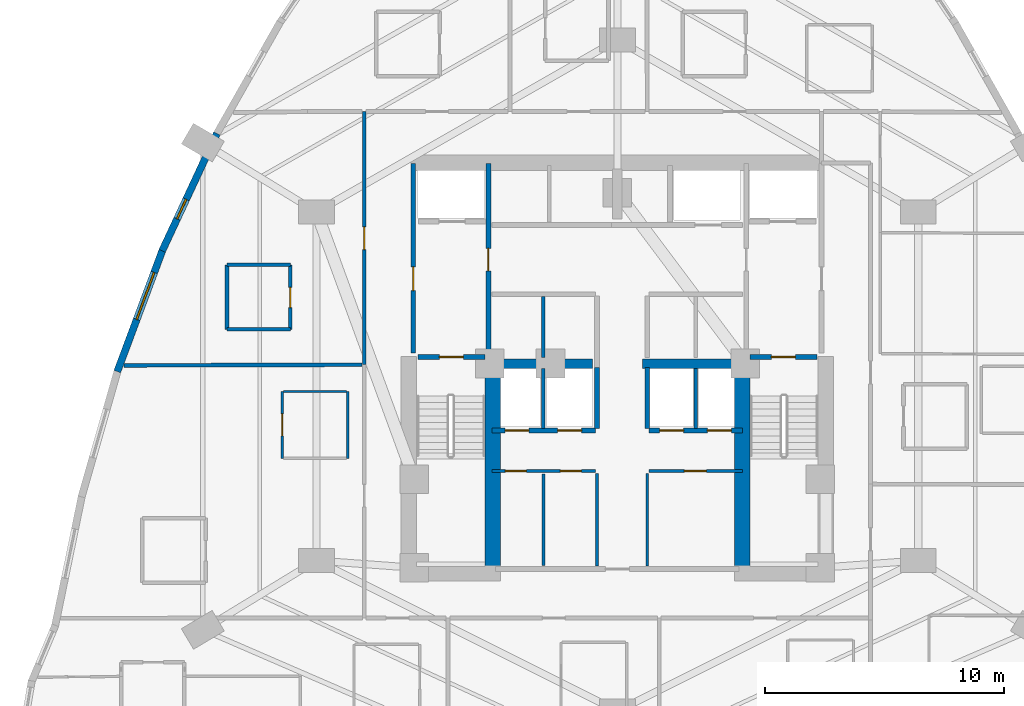
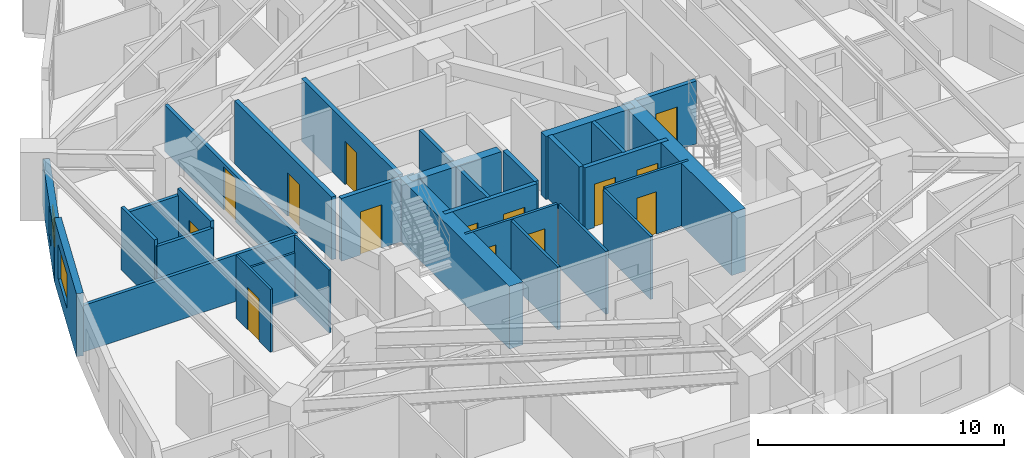
# One storey, part 10 of 16: 31 walls, 14 doors, 2 windows, 16 openings.
"""IFC4 building model written with IfcOpenShell, lengths in metres."""

from ifc_helpers import new_model, si_unit, direction, frame, frame_2d, origin, place, context, subcontext, project, spatial, rectangle, extrude, material, layer, layer_set, type_object, element, fill, save


model = new_model("IFC4")

# Units and contexts
model_context = context("Model", 3, precision=1e-05, world=origin(), true_north=direction((0.0, 1.0)))
body_context = subcontext(model_context, "Body", "Model", "MODEL_VIEW")
ifc_project = project(units=[si_unit("LENGTHUNIT", "METRE"), si_unit("AREAUNIT", "SQUARE_METRE"), si_unit("VOLUMEUNIT", "CUBIC_METRE"), si_unit("PLANEANGLEUNIT", "RADIAN"), si_unit("MASSUNIT", "GRAM", prefix="KILO")], contexts=[model_context])

# Site, building, storey
site_placement = place(None, origin())
site = spatial("IfcSite", under=ifc_project, at=site_placement, CompositionType="ELEMENT")
building_placement = place(site_placement, origin())
building = spatial("IfcBuilding", under=site, at=building_placement, Name="Miruveldt Soraemaru", CompositionType="ELEMENT")
storey_placement = place(building_placement, frame((0.0, 0.0, 42.800048828125)))
storey = spatial("IfcBuildingStorey", under=building, at=storey_placement, Name="L11", CompositionType="ELEMENT", Elevation=42.800048828125)

# Walls
ifc_material_1 = material(Name="Concrete C70/85 (70 MPa)", Category="concrete")
ifc_layer_1 = layer(ifc_material_1, 0.5, Name="Concrete C70/85 (70 MPa)", Category="concrete")
ifc_layer_set_1 = layer_set([ifc_layer_1], Name="Concrete C70/85 (70 MPa)")
wall_type_1 = type_object("IfcWallType", Name="WALL-BW-500", PredefinedType="SHEAR", material=ifc_layer_set_1)
for number, where, z_axis, x_axis, name in (
    (1, (38.75, 44.050048828125, 0.0), (0.0, 0.0, 1.0), (1.0, 0.0, 0.0), "L11 Core Buttress Shear Wall BW"),
    (2, (45.050048828125, 44.050048828125, 0.0), (0.0, 0.0, 1.0), (1.0, 0.0, 0.0), "L11 Core Buttress Shear Wall BE"),
):
    element("IfcWall", number, at=place(storey_placement, frame(where, z_axis=z_axis, x_axis=x_axis)), inside=storey, type_object=wall_type_1, Name=name, PredefinedType="SHEAR", context=body_context, shape_type="SweptSolid", body=[
        extrude(rectangle(XDim=4.199951171875, YDim=0.39990234375, at=frame_2d((2.10009765625, 0.0))), origin(), (0.0, 0.0, 1.0), 3.125),
    ])
ifc_material_2 = material(Name="Concrete C80/95 (80 MPa)", Category="concrete")
ifc_layer_2 = layer(ifc_material_2, 0.64990234375, Name="Concrete C80/95 (80 MPa)", Category="concrete")
ifc_layer_set_2 = layer_set([ifc_layer_2], Name="Concrete C80/95 (80 MPa)")
wall_type_2 = type_object("IfcWallType", Name="WALL-CW-650", PredefinedType="SHEAR", material=ifc_layer_set_2)
for number, where, z_axis, x_axis, name in (
    (3, (38.77490234375, 35.39990234375, 0.0), (0.0, 0.0, 1.0), (0.0, 1.0, 0.0), "L11 Central Core Shear Wall SW-INT"),
    (4, (49.22509765625, 35.39990234375, 0.0), (0.0, 0.0, 1.0), (0.0, 1.0, 0.0), "L11 Central Core Shear Wall SE-INT"),
):
    element("IfcWall", number, at=place(storey_placement, frame(where, z_axis=z_axis, x_axis=x_axis)), inside=storey, type_object=wall_type_2, Name=name, PredefinedType="SHEAR", context=body_context, shape_type="SweptSolid", body=[
        extrude(rectangle(XDim=8.9501953125, YDim=0.64990234375, at=frame_2d((4.47509765625, 0.0))), origin(), (0.0, 0.0, 1.0), 3.125),
    ])

# Wall, opening, window
ifc_material_3 = material(Name="Precast concrete C45/55 (45 MPa)", Category="concrete")
ifc_layer_3 = layer(ifc_material_3, 0.300048828125, Name="Precast concrete C45/55 (45 MPa)", Category="concrete")
ifc_layer_set_3 = layer_set([ifc_layer_3], Name="Precast concrete C45/55 (45 MPa)")
wall_type_3 = type_object("IfcWallType", Name="WALL-EXT-PC300", PredefinedType="SOLIDWALL", material=ifc_layer_set_3)
wall_1_placement = place(storey_placement, frame((27.231201171875, 53.685302734375, 0.0), z_axis=(0.0, 0.0, 1.0), x_axis=(-0.4222916538, -0.906460015186, 0.0)))
wall_1 = element("IfcWall", 5, at=wall_1_placement, inside=storey, type_object=wall_type_3, Name="L11 Precast Concrete Facade Wall 11", PredefinedType="SOLIDWALL", context=body_context, shape_type="SweptSolid", body=[
    extrude(rectangle(XDim=5.42529296875, YDim=0.300048828125, at=frame_2d((2.712646484375, 0.0))), origin(), (0.0, 0.0, 1.0), 2.31298828125),
])
opening_1_placement = place(wall_1_placement, frame((3.0458984375, 0.0, 0.653076171875)))
opening_1 = element("IfcOpeningElement", 6, at=opening_1_placement, cuts=wall_1, Name="Opening WN-7", PredefinedType="OPENING", context=body_context, shape_type="SweptSolid", body=[
    extrude(rectangle(XDim=0.89990234375, YDim=1.5, at=frame_2d((0.449951171875, 0.75))), frame((0.0, 0.16015625, 0.0), z_axis=(0.0, -1.0, 0.0), x_axis=(1.0, 0.0, 0.0)), (0.0, 0.0, 1.0), 0.320068359375),
])
ifc_material_4 = material(Name="Triple low-e insulated glazing", Category="glass")
window_type_1 = type_object("IfcWindowType", Name="WIN-PUNCH-900x1500", PartitioningType="SINGLE_PANEL", PredefinedType="WINDOW", material=ifc_material_4)
window_1_placement = place(opening_1_placement, origin())
window_1 = element("IfcWindow", 7, at=window_1_placement, inside=storey, type_object=window_type_1, Name="L11 Punched Triple-Glazed Window 11.1", OverallHeight=1.5, OverallWidth=0.89990234375, PartitioningType="SINGLE_PANEL", PredefinedType="WINDOW", context=body_context, shape_type="SweptSolid", body=[
    extrude(rectangle(XDim=0.89990234375, YDim=1.5, at=frame_2d((0.449951171875, 0.75))), frame((0.0, 0.030029296875, 0.0), z_axis=(0.0, -1.0, 0.0), x_axis=(1.0, 0.0, 0.0)), (0.0, 0.0, 1.0), 0.06005859375),
])
fill(opening_1, window_1)

wall_2_placement = place(storey_placement, frame((24.967041015625, 48.83203125, 0.0), z_axis=(0.0, 0.0, 1.0), x_axis=(-0.348985824433, -0.93712800318, 0.0)))
wall_2 = element("IfcWall", 8, at=wall_2_placement, inside=storey, type_object=wall_type_3, Name="L11 Precast Concrete Facade Wall 12", PredefinedType="SOLIDWALL", context=body_context, shape_type="SweptSolid", body=[
    extrude(rectangle(XDim=5.45947265625, YDim=0.300048828125, at=frame_2d((2.729736328125, 0.0))), origin(), (0.0, 0.0, 1.0), 3.125),
])
opening_2_placement = place(wall_2_placement, frame((1.032958984375, 0.0, 0.800048828125)))
opening_2 = element("IfcOpeningElement", 9, at=opening_2_placement, cuts=wall_2, Name="Opening WN-1", PredefinedType="OPENING", context=body_context, shape_type="SweptSolid", body=[
    extrude(rectangle(XDim=2.10009765625, YDim=1.699951171875, at=frame_2d((1.050048828125, 0.85009765625))), frame((0.0, 0.16015625, 0.0), z_axis=(0.0, -1.0, 0.0), x_axis=(1.0, 0.0, 0.0)), (0.0, 0.0, 1.0), 0.320068359375),
])
window_type_2 = type_object("IfcWindowType", Name="WIN-PUNCH-2100x1700", PartitioningType="SINGLE_PANEL", PredefinedType="WINDOW", material=ifc_material_4)
window_2_placement = place(opening_2_placement, origin())
window_2 = element("IfcWindow", 10, at=window_2_placement, inside=storey, type_object=window_type_2, Name="L11 Punched Triple-Glazed Window 12.1", OverallHeight=1.699951171875, OverallWidth=2.10009765625, PartitioningType="SINGLE_PANEL", PredefinedType="WINDOW", context=body_context, shape_type="SweptSolid", body=[
    extrude(rectangle(XDim=2.10009765625, YDim=1.699951171875, at=frame_2d((1.050048828125, 0.85009765625))), frame((0.0, 0.030029296875, 0.0), z_axis=(0.0, -1.0, 0.0), x_axis=(1.0, 0.0, 0.0)), (0.0, 0.0, 1.0), 0.06005859375),
])
fill(opening_2, window_2)

# Wall, opening, door
ifc_material_5 = material(Name="Gypsum plasterboard lining", Category="gypsum")
ifc_layer_4 = layer(ifc_material_5, 0.10009765625, Name="Gypsum plasterboard lining", Category="gypsum")
ifc_layer_set_4 = layer_set([ifc_layer_4], Name="Gypsum plasterboard lining")
wall_type_4 = type_object("IfcWallType", Name="WALL-INT-P100", PredefinedType="PARTITIONING", material=ifc_layer_set_4)
wall_3_placement = place(storey_placement, frame((29.962890625, 42.8798828125, 0.0), z_axis=(0.0, 0.0, 1.0), x_axis=(0.0, -1.0, 0.0)))
wall_3 = element("IfcWall", 11, at=wall_3_placement, inside=storey, type_object=wall_type_4, Name="L11 Partition Wall 58", PredefinedType="PARTITIONING", context=body_context, shape_type="SweptSolid", body=[
    extrude(rectangle(XDim=2.7998046875, YDim=0.10009765625, at=frame_2d((1.39990234375, 0.0))), origin(), (0.0, 0.0, 1.0), 3.125),
])
opening_3_placement = place(wall_3_placement, frame((0.93994140625, 0.0, 0.0)))
opening_3 = element("IfcOpeningElement", 12, at=opening_3_placement, cuts=wall_3, Name="Opening D3A", PredefinedType="OPENING", context=body_context, shape_type="SweptSolid", body=[
    extrude(rectangle(XDim=0.919921875, YDim=2.10009765625, at=frame_2d((0.4599609375, 1.050048828125))), frame((0.0, 0.06005859375, 0.0), z_axis=(0.0, -1.0, 0.0), x_axis=(1.0, 0.0, 0.0)), (0.0, 0.0, 1.0), 0.1201171875),
])
ifc_material_6 = material(Name="Anodised aluminium EN AW-6063 T6", Category="aluminium")
door_type_1 = type_object("IfcDoorType", Name="DOOR-INT-920", OperationType="NOTDEFINED", PredefinedType="DOOR", material=ifc_material_6)
door_1_placement = place(opening_3_placement, origin())
door_1 = element("IfcDoor", 13, at=door_1_placement, inside=storey, type_object=door_type_1, Name="L11 Unit CL04 KIT Door", OperationType="SINGLE_SWING_LEFT", OverallHeight=2.10009765625, OverallWidth=0.919921875, PredefinedType="DOOR", context=body_context, shape_type="SweptSolid", body=[
    extrude(rectangle(XDim=0.919921875, YDim=2.10009765625, at=frame_2d((0.4599609375, 1.050048828125))), frame((0.0, 0.02490234375, 0.0), z_axis=(0.0, -1.0, 0.0), x_axis=(1.0, 0.0, 0.0)), (0.0, 0.0, 1.0), 0.050048828125),
])
fill(opening_3, door_1)

# Walls
wall_4_placement = place(storey_placement, frame((32.712890625, 40.080078125, 0.0), z_axis=(0.0, 0.0, 1.0), x_axis=(0.0, 1.0, 0.0)))
element("IfcWall", 14, at=wall_4_placement, inside=storey, type_object=wall_type_4, Name="L11 Partition Wall 56", PredefinedType="PARTITIONING", context=body_context, shape_type="SweptSolid", body=[
    extrude(rectangle(XDim=2.7998046875, YDim=0.10009765625, at=frame_2d((1.39990234375, 0.0))), origin(), (0.0, 0.0, 1.0), 3.125),
])
wall_5_placement = place(storey_placement, frame((32.6630859375, 42.8798828125, 0.0), z_axis=(0.0, 0.0, 1.0), x_axis=(-1.0, 0.0, 0.0)))
element("IfcWall", 15, at=wall_5_placement, inside=storey, type_object=wall_type_4, Name="L11 Partition Wall 57", PredefinedType="PARTITIONING", context=body_context, shape_type="SweptSolid", body=[
    extrude(rectangle(XDim=2.650146484375, YDim=0.10009765625, at=frame_2d((1.3251953125, 0.0))), origin(), (0.0, 0.0, 1.0), 2.31298828125),
])

# Wall, openings, doors
ifc_layer_5 = layer(ifc_material_5, 0.1201171875, Name="Gypsum plasterboard lining", Category="gypsum")
ifc_layer_set_5 = layer_set([ifc_layer_5], Name="Gypsum plasterboard lining")
wall_type_5 = type_object("IfcWallType", Name="WALL-INT-P120", PredefinedType="PARTITIONING", material=ifc_layer_set_5)
wall_6_placement = place(storey_placement, frame((38.75, 39.550048828125, 0.0), z_axis=(0.0, 0.0, 1.0), x_axis=(1.0, 0.0, 0.0)))
wall_6 = element("IfcWall", 16, at=wall_6_placement, inside=storey, type_object=wall_type_5, Name="L11 Core Compartment Wall CSW-N", PredefinedType="PARTITIONING", context=body_context, shape_type="SweptSolid", body=[
    extrude(rectangle(XDim=4.330078125, YDim=0.1201171875, at=frame_2d((2.1650390625, 0.0))), origin(), (0.0, 0.0, 1.0), 3.125),
])
opening_4_placement = place(wall_6_placement, frame((0.56005859375, 0.0, 0.0)))
opening_4 = element("IfcOpeningElement", 17, at=opening_4_placement, cuts=wall_6, Name="Opening D4", PredefinedType="OPENING", context=body_context, shape_type="SweptSolid", body=[
    extrude(rectangle(XDim=0.8798828125, YDim=2.10009765625, at=frame_2d((0.43994140625, 1.050048828125))), frame((0.0, 0.070068359375, 0.0), z_axis=(0.0, -1.0, 0.0), x_axis=(1.0, 0.0, 0.0)), (0.0, 0.0, 1.0), 0.14013671875),
])
opening_5_placement = place(wall_6_placement, frame((2.860107421875, 0.0, 0.0)))
opening_5 = element("IfcOpeningElement", 18, at=opening_5_placement, cuts=wall_6, Name="Opening D4", PredefinedType="OPENING", context=body_context, shape_type="SweptSolid", body=[
    extrude(rectangle(XDim=0.8798828125, YDim=2.10009765625, at=frame_2d((0.43994140625, 1.050048828125))), frame((0.0, 0.070068359375, 0.0), z_axis=(0.0, -1.0, 0.0), x_axis=(1.0, 0.0, 0.0)), (0.0, 0.0, 1.0), 0.14013671875),
])
door_type_2 = type_object("IfcDoorType", Name="DOOR-INT-880", OperationType="NOTDEFINED", PredefinedType="DOOR", material=ifc_material_6)
door_2_placement = place(opening_4_placement, origin())
door_2 = element("IfcDoor", 19, at=door_2_placement, inside=storey, type_object=door_type_2, Name="L11 Fire Door", OperationType="SINGLE_SWING_LEFT", OverallHeight=2.10009765625, OverallWidth=0.8798828125, PredefinedType="DOOR", context=body_context, shape_type="SweptSolid", body=[
    extrude(rectangle(XDim=0.8798828125, YDim=2.10009765625, at=frame_2d((0.43994140625, 1.050048828125))), frame((0.0, 0.02490234375, 0.0), z_axis=(0.0, -1.0, 0.0), x_axis=(1.0, 0.0, 0.0)), (0.0, 0.0, 1.0), 0.050048828125),
])
fill(opening_4, door_2)
door_3_placement = place(opening_5_placement, origin())
door_3 = element("IfcDoor", 20, at=door_3_placement, inside=storey, type_object=door_type_2, Name="L11 Fire Door", OperationType="SINGLE_SWING_LEFT", OverallHeight=2.10009765625, OverallWidth=0.8798828125, PredefinedType="DOOR", context=body_context, shape_type="SweptSolid", body=[
    extrude(rectangle(XDim=0.8798828125, YDim=2.10009765625, at=frame_2d((0.43994140625, 1.050048828125))), frame((0.0, 0.02490234375, 0.0), z_axis=(0.0, -1.0, 0.0), x_axis=(1.0, 0.0, 0.0)), (0.0, 0.0, 1.0), 0.050048828125),
])
fill(opening_5, door_3)

# Wall, opening, door
wall_7_placement = place(storey_placement, frame((45.320068359375, 39.550048828125, 0.0), z_axis=(0.0, 0.0, 1.0), x_axis=(1.0, 0.0, 0.0)))
wall_7 = element("IfcWall", 21, at=wall_7_placement, inside=storey, type_object=wall_type_5, Name="L11 Core Compartment Wall CSE-N", PredefinedType="PARTITIONING", context=body_context, shape_type="SweptSolid", body=[
    extrude(rectangle(XDim=3.929931640625, YDim=0.1201171875, at=frame_2d((1.96484375, 0.0))), origin(), (0.0, 0.0, 1.0), 3.125),
])
opening_6_placement = place(wall_7_placement, frame((1.489990234375, 0.0, 0.0)))
opening_6 = element("IfcOpeningElement", 22, at=opening_6_placement, cuts=wall_7, Name="Opening D3A", PredefinedType="OPENING", context=body_context, shape_type="SweptSolid", body=[
    extrude(rectangle(XDim=0.919921875, YDim=2.10009765625, at=frame_2d((0.4599609375, 1.050048828125))), frame((0.0, 0.070068359375, 0.0), z_axis=(0.0, -1.0, 0.0), x_axis=(1.0, 0.0, 0.0)), (0.0, 0.0, 1.0), 0.14013671875),
])
door_4_placement = place(opening_6_placement, origin())
door_4 = element("IfcDoor", 23, at=door_4_placement, inside=storey, type_object=door_type_1, Name="L11 Fire Door", OperationType="SINGLE_SWING_LEFT", OverallHeight=2.10009765625, OverallWidth=0.919921875, PredefinedType="DOOR", context=body_context, shape_type="SweptSolid", body=[
    extrude(rectangle(XDim=0.919921875, YDim=2.10009765625, at=frame_2d((0.4599609375, 1.050048828125))), frame((0.0, 0.02490234375, 0.0), z_axis=(0.0, -1.0, 0.0), x_axis=(1.0, 0.0, 0.0)), (0.0, 0.0, 1.0), 0.050048828125),
])
fill(opening_6, door_4)

# Walls
for number, where, z_axis, x_axis, name in (
    (24, (43.14990234375, 35.580078125, 0.0), (0.0, 0.0, 1.0), (0.0, 1.0, 0.0), "L11 Core Compartment Wall SP-WS"),
    (25, (45.25, 35.580078125, 0.0), (0.0, 0.0, 1.0), (0.0, 1.0, 0.0), "L11 Core Compartment Wall SP-ES"),
):
    element("IfcWall", number, at=place(storey_placement, frame(where, z_axis=z_axis, x_axis=x_axis)), inside=storey, type_object=wall_type_5, Name=name, PredefinedType="PARTITIONING", context=body_context, shape_type="SweptSolid", body=[
        extrude(rectangle(XDim=3.869873046875, YDim=0.1201171875, at=frame_2d((1.93505859375, 0.0))), origin(), (0.0, 0.0, 1.0), 3.125),
    ])
wall_8_placement = place(storey_placement, frame((40.89990234375, 35.60009765625, 0.0), z_axis=(0.0, 0.0, 1.0), x_axis=(0.0, 1.0, 0.0)))
element("IfcWall", 26, at=wall_8_placement, inside=storey, type_object=wall_type_5, Name="L11 Core Compartment Wall CW1-V", PredefinedType="PARTITIONING", context=body_context, shape_type="SweptSolid", body=[
    extrude(rectangle(XDim=3.81982421875, YDim=0.1201171875, at=frame_2d((1.909912109375, 0.0))), origin(), (0.0, 0.0, 1.0), 3.125),
])

# Wall, opening, door
ifc_layer_6 = layer(ifc_material_5, 0.14990234375, Name="Gypsum plasterboard lining", Category="gypsum")
ifc_layer_set_6 = layer_set([ifc_layer_6], Name="Gypsum plasterboard lining")
wall_type_6 = type_object("IfcWallType", Name="WALL-INT-PLUMB", PredefinedType="PLUMBINGWALL", material=ifc_layer_set_6)
wall_9_placement = place(storey_placement, frame((30.304931640625, 45.47998046875, 0.0), z_axis=(0.0, 0.0, 1.0), x_axis=(0.0, 1.0, 0.0)))
wall_9 = element("IfcWall", 27, at=wall_9_placement, inside=storey, type_object=wall_type_6, Name="L11 Partition Wall 62", PredefinedType="PLUMBINGWALL", context=body_context, shape_type="SweptSolid", body=[
    extrude(rectangle(XDim=2.699951171875, YDim=0.14990234375, at=frame_2d((1.35009765625, 0.0))), origin(), (0.0, 0.0, 1.0), 3.125),
])
opening_7_placement = place(wall_9_placement, frame((0.909912109375, 0.0, 0.0)))
opening_7 = element("IfcOpeningElement", 28, at=opening_7_placement, cuts=wall_9, Name="Opening FD3", PredefinedType="OPENING", context=body_context, shape_type="SweptSolid", body=[
    extrude(rectangle(XDim=0.85009765625, YDim=2.10009765625, at=frame_2d((0.425048828125, 1.050048828125))), frame((0.0, 0.0849609375, 0.0), z_axis=(0.0, -1.0, 0.0), x_axis=(1.0, 0.0, 0.0)), (0.0, 0.0, 1.0), 0.169921875),
])
door_type_3 = type_object("IfcDoorType", Name="DOOR-FD3-850", OperationType="NOTDEFINED", PredefinedType="DOOR", material=ifc_material_6)
door_5_placement = place(opening_7_placement, origin())
door_5 = element("IfcDoor", 29, at=door_5_placement, inside=storey, type_object=door_type_3, Name="L11 Unit 1105 BTH Door", OperationType="SINGLE_SWING_LEFT", OverallHeight=2.10009765625, OverallWidth=0.85009765625, PredefinedType="DOOR", context=body_context, shape_type="SweptSolid", body=[
    extrude(rectangle(XDim=0.85009765625, YDim=2.10009765625, at=frame_2d((0.425048828125, 1.050048828125))), frame((0.0, 0.02490234375, 0.0), z_axis=(0.0, -1.0, 0.0), x_axis=(1.0, 0.0, 0.0)), (0.0, 0.0, 1.0), 0.050048828125),
])
fill(opening_7, door_5)

# Walls
wall_10_placement = place(storey_placement, frame((27.655029296875, 48.179931640625, 0.0), z_axis=(0.0, 0.0, 1.0), x_axis=(0.0, -1.0, 0.0)))
element("IfcWall", 30, at=wall_10_placement, inside=storey, type_object=wall_type_6, Name="L11 Partition Wall 64", PredefinedType="PLUMBINGWALL", context=body_context, shape_type="SweptSolid", body=[
    extrude(rectangle(XDim=2.699951171875, YDim=0.14990234375, at=frame_2d((1.35009765625, 0.0))), origin(), (0.0, 0.0, 1.0), 3.125),
])
for number, where, z_axis, x_axis, name in (
    (31, (30.304931640625, 48.179931640625, 0.0), (0.0, 0.0, 1.0), (-1.0, 0.0, 0.0), "L11 Partition Wall 63"),
    (32, (27.655029296875, 45.47998046875, 0.0), (0.0, 0.0, 1.0), (1.0, 0.0, 0.0), "L11 Partition Wall 65"),
):
    element("IfcWall", number, at=place(storey_placement, frame(where, z_axis=z_axis, x_axis=x_axis)), inside=storey, type_object=wall_type_6, Name=name, PredefinedType="PLUMBINGWALL", context=body_context, shape_type="SweptSolid", body=[
        extrude(rectangle(XDim=2.64990234375, YDim=0.14990234375, at=frame_2d((1.324951171875, 0.0))), origin(), (0.0, 0.0, 1.0), 2.81298828125),
    ])

# Wall, opening, door
ifc_material_7 = material(Name="Concrete C40/50 (40 MPa)", Category="concrete")
ifc_layer_7 = layer(ifc_material_7, 0.159912109375, Name="Concrete C40/50 (40 MPa)", Category="concrete")
ifc_layer_set_7 = layer_set([ifc_layer_7], Name="Concrete C40/50 (40 MPa)")
wall_type_7 = type_object("IfcWallType", Name="WALL-INT-RC160", PredefinedType="SOLIDWALL", material=ifc_layer_set_7)
wall_11_placement = place(storey_placement, frame((33.39990234375, 54.594970703125, 0.0), z_axis=(0.0, 0.0, 1.0), x_axis=(0.0, -1.0, 0.0)))
wall_11 = element("IfcWall", 33, at=wall_11_placement, inside=storey, type_object=wall_type_7, Name="L11 Partition Wall 5", PredefinedType="SOLIDWALL", context=body_context, shape_type="SweptSolid", body=[
    extrude(rectangle(XDim=10.590087890625, YDim=0.159912109375, at=frame_2d((5.294921875, 0.0))), origin(), (0.0, 0.0, 1.0), 2.31298828125),
])
opening_8_placement = place(wall_11_placement, frame((4.820068359375, 0.0, 0.0)))
opening_8 = element("IfcOpeningElement", 34, at=opening_8_placement, cuts=wall_11, Name="Opening FD2", PredefinedType="OPENING", context=body_context, shape_type="SweptSolid", body=[
    extrude(rectangle(XDim=0.949951171875, YDim=2.14990234375, at=frame_2d((0.47509765625, 1.074951171875))), frame((0.0, 0.08984375, 0.0), z_axis=(0.0, -1.0, 0.0), x_axis=(1.0, 0.0, 0.0)), (0.0, 0.0, 1.0), 0.179931640625),
])
door_type_4 = type_object("IfcDoorType", Name="DOOR-FD2-950", OperationType="NOTDEFINED", PredefinedType="DOOR", material=ifc_material_6)
door_6_placement = place(opening_8_placement, origin())
door_6 = element("IfcDoor", 35, at=door_6_placement, inside=storey, type_object=door_type_4, Name="L11 Unit 1105 Entrance Fire Door", OperationType="SINGLE_SWING_RIGHT", OverallHeight=2.14990234375, OverallWidth=0.949951171875, PredefinedType="DOOR", context=body_context, shape_type="SweptSolid", body=[
    extrude(rectangle(XDim=0.949951171875, YDim=2.14990234375, at=frame_2d((0.47509765625, 1.074951171875))), frame((0.0, 0.02490234375, 0.0), z_axis=(0.0, -1.0, 0.0), x_axis=(1.0, 0.0, 0.0)), (0.0, 0.0, 1.0), 0.050048828125),
])
fill(opening_8, door_6)

# Walls
wall_12_placement = place(storey_placement, frame((33.31494140625, 44.0, 0.0), z_axis=(0.0, 0.0, 1.0), x_axis=(-0.999996044386, -0.002812687597, 0.0)))
element("IfcWall", 36, at=wall_12_placement, inside=storey, type_object=wall_type_7, Name="L11 Partition Wall 60", PredefinedType="SOLIDWALL", context=body_context, shape_type="SweptSolid", body=[
    extrude(rectangle(XDim=9.98193359375, YDim=0.159912109375, at=frame_2d((4.990966796875, 0.0))), origin(), (0.0, 0.0, 1.0), 2.31298828125),
])
wall_13_placement = place(storey_placement, frame((40.89990234375, 44.300048828125, 0.0), z_axis=(0.0, 0.0, 1.0), x_axis=(0.0, 1.0, 0.0)))
element("IfcWall", 37, at=wall_13_placement, inside=storey, type_object=wall_type_7, Name="L11 Core Compartment Wall PLM-DW", PredefinedType="SOLIDWALL", context=body_context, shape_type="SweptSolid", body=[
    extrude(rectangle(XDim=2.550048828125, YDim=0.159912109375, at=frame_2d((1.27490234375, 0.0))), origin(), (0.0, 0.0, 1.0), 3.125),
])
for number, where, z_axis, x_axis, name in (
    (38, (40.89990234375, 41.320068359375, 0.0), (0.0, 0.0, 1.0), (0.0, 1.0, 0.0), "L11 Core Compartment Wall PLL-DW"),
    (39, (47.280029296875, 41.320068359375, 0.0), (0.0, 0.0, 1.0), (0.0, 1.0, 0.0), "L11 Core Compartment Wall PLL-DE"),
):
    element("IfcWall", number, at=place(storey_placement, frame(where, z_axis=z_axis, x_axis=x_axis)), inside=storey, type_object=wall_type_7, Name=name, PredefinedType="SOLIDWALL", context=body_context, shape_type="SweptSolid", body=[
        extrude(rectangle(XDim=2.530029296875, YDim=0.159912109375, at=frame_2d((1.26513671875, 0.0))), origin(), (0.0, 0.0, 1.0), 3.125),
    ])

# Wall, opening, door
ifc_layer_8 = layer(ifc_material_7, 0.199951171875, Name="Concrete C40/50 (40 MPa)", Category="concrete")
ifc_layer_set_8 = layer_set([ifc_layer_8], Name="Concrete C40/50 (40 MPa)")
wall_type_8 = type_object("IfcWallType", Name="WALL-INT-RC200", PredefinedType="SOLIDWALL", material=ifc_layer_set_8)
wall_14_placement = place(storey_placement, frame((35.449951171875, 44.5, 0.0), z_axis=(0.0, 0.0, 1.0), x_axis=(0.0, 1.0, 0.0)))
wall_14 = element("IfcWall", 40, at=wall_14_placement, inside=storey, type_object=wall_type_8, Name="L11 Core Compartment Wall FFW-OUT", PredefinedType="SOLIDWALL", context=body_context, shape_type="SweptSolid", body=[
    extrude(rectangle(XDim=7.919921875, YDim=0.199951171875, at=frame_2d((3.9599609375, 0.0))), origin(), (0.0, 0.0, 1.0), 3.125),
])
opening_9_placement = place(wall_14_placement, frame((2.60009765625, 0.0, 0.0)))
opening_9 = element("IfcOpeningElement", 41, at=opening_9_placement, cuts=wall_14, Name="Opening FD1", PredefinedType="OPENING", context=body_context, shape_type="SweptSolid", body=[
    extrude(rectangle(XDim=1.0, YDim=2.14990234375, at=frame_2d((0.5, 1.074951171875))), frame((0.0, 0.10986328125, 0.0), z_axis=(0.0, -1.0, 0.0), x_axis=(1.0, 0.0, 0.0)), (0.0, 0.0, 1.0), 0.219970703125),
])
door_type_5 = type_object("IfcDoorType", Name="DOOR-FD1-1000", OperationType="NOTDEFINED", PredefinedType="DOOR", material=ifc_material_6)
door_7_placement = place(opening_9_placement, origin())
door_7 = element("IfcDoor", 42, at=door_7_placement, inside=storey, type_object=door_type_5, Name="L11 West Firefighting Lobby Exit Door", OperationType="SINGLE_SWING_LEFT", OverallHeight=2.14990234375, OverallWidth=1.0, PredefinedType="DOOR", context=body_context, shape_type="SweptSolid", body=[
    extrude(rectangle(XDim=1.0, YDim=2.14990234375, at=frame_2d((0.5, 1.074951171875))), frame((0.0, 0.02490234375, 0.0), z_axis=(0.0, -1.0, 0.0), x_axis=(1.0, 0.0, 0.0)), (0.0, 0.0, 1.0), 0.050048828125),
])
fill(opening_9, door_7)

wall_15_placement = place(storey_placement, frame((38.60009765625, 44.5, 0.0), z_axis=(0.0, 0.0, 1.0), x_axis=(0.0, 1.0, 0.0)))
wall_15 = element("IfcWall", 43, at=wall_15_placement, inside=storey, type_object=wall_type_8, Name="L11 Core Compartment Wall FFW-IN", PredefinedType="SOLIDWALL", context=body_context, shape_type="SweptSolid", body=[
    extrude(rectangle(XDim=7.919921875, YDim=0.199951171875, at=frame_2d((3.9599609375, 0.0))), origin(), (0.0, 0.0, 1.0), 3.125),
])
opening_10_placement = place(wall_15_placement, frame((3.425048828125, 0.0, 0.0)))
opening_10 = element("IfcOpeningElement", 44, at=opening_10_placement, cuts=wall_15, Name="Opening FD2", PredefinedType="OPENING", context=body_context, shape_type="SweptSolid", body=[
    extrude(rectangle(XDim=0.949951171875, YDim=2.14990234375, at=frame_2d((0.47509765625, 1.074951171875))), frame((0.0, 0.10986328125, 0.0), z_axis=(0.0, -1.0, 0.0), x_axis=(1.0, 0.0, 0.0)), (0.0, 0.0, 1.0), 0.219970703125),
])
door_8_placement = place(opening_10_placement, frame((0.949951171875, 0.0, 0.0), z_axis=(0.0, 0.0, 1.0), x_axis=(-1.0, 0.0, 0.0)))
door_8 = element("IfcDoor", 45, at=door_8_placement, inside=storey, type_object=door_type_4, Name="L11 Lift Lobby to West Fire Lobby Door", OperationType="SINGLE_SWING_RIGHT", OverallHeight=2.14990234375, OverallWidth=0.949951171875, PredefinedType="DOOR", context=body_context, shape_type="SweptSolid", body=[
    extrude(rectangle(XDim=0.949951171875, YDim=2.14990234375, at=frame_2d((0.47509765625, 1.074951171875))), frame((0.0, 0.02490234375, 0.0), z_axis=(0.0, -1.0, 0.0), x_axis=(1.0, 0.0, 0.0)), (0.0, 0.0, 1.0), 0.050048828125),
])
fill(opening_10, door_8)

# Wall, openings, doors
wall_16_placement = place(storey_placement, frame((38.75, 41.25, 0.0), z_axis=(0.0, 0.0, 1.0), x_axis=(1.0, 0.0, 0.0)))
wall_16 = element("IfcWall", 46, at=wall_16_placement, inside=storey, type_object=wall_type_8, Name="L11 Core Compartment Wall LBW-S", PredefinedType="SOLIDWALL", context=body_context, shape_type="SweptSolid", body=[
    extrude(rectangle(XDim=4.330078125, YDim=0.199951171875, at=frame_2d((2.1650390625, 0.0))), origin(), (0.0, 0.0, 1.0), 3.125),
])
opening_11_placement = place(wall_16_placement, frame((0.550048828125, 0.0, 0.0)))
opening_11 = element("IfcOpeningElement", 47, at=opening_11_placement, cuts=wall_16, Name="Opening LD1B", PredefinedType="OPENING", context=body_context, shape_type="SweptSolid", body=[
    extrude(rectangle(XDim=1.0, YDim=2.14990234375, at=frame_2d((0.5, 1.074951171875))), frame((0.0, 0.10986328125, 0.0), z_axis=(0.0, -1.0, 0.0), x_axis=(1.0, 0.0, 0.0)), (0.0, 0.0, 1.0), 0.219970703125),
])
opening_12_placement = place(wall_16_placement, frame((2.75, 0.0, 0.0)))
opening_12 = element("IfcOpeningElement", 48, at=opening_12_placement, cuts=wall_16, Name="Opening LD1B", PredefinedType="OPENING", context=body_context, shape_type="SweptSolid", body=[
    extrude(rectangle(XDim=1.0, YDim=2.14990234375, at=frame_2d((0.5, 1.074951171875))), frame((0.0, 0.10986328125, 0.0), z_axis=(0.0, -1.0, 0.0), x_axis=(1.0, 0.0, 0.0)), (0.0, 0.0, 1.0), 0.219970703125),
])
door_type_6 = type_object("IfcDoorType", Name="DOOR-LD1-1000", OperationType="SLIDING_TO_LEFT", PredefinedType="DOOR", material=ifc_material_6)
door_9_placement = place(opening_11_placement, frame((1.0, 0.0, 0.0), z_axis=(0.0, 0.0, 1.0), x_axis=(-1.0, 0.0, 0.0)))
door_9 = element("IfcDoor", 49, at=door_9_placement, inside=storey, type_object=door_type_6, Name="L11 PL-L1 Landing Door", OperationType="SLIDING_TO_LEFT", OverallHeight=2.14990234375, OverallWidth=1.0, PredefinedType="DOOR", context=body_context, shape_type="SweptSolid", body=[
    extrude(rectangle(XDim=1.0, YDim=2.14990234375, at=frame_2d((0.5, 1.074951171875))), frame((0.0, 0.02490234375, 0.0), z_axis=(0.0, -1.0, 0.0), x_axis=(1.0, 0.0, 0.0)), (0.0, 0.0, 1.0), 0.050048828125),
])
fill(opening_11, door_9)
door_10_placement = place(opening_12_placement, frame((1.0, 0.0, 0.0), z_axis=(0.0, 0.0, 1.0), x_axis=(-1.0, 0.0, 0.0)))
door_10 = element("IfcDoor", 50, at=door_10_placement, inside=storey, type_object=door_type_6, Name="L11 PL-L2 Landing Door", OperationType="SLIDING_TO_LEFT", OverallHeight=2.14990234375, OverallWidth=1.0, PredefinedType="DOOR", context=body_context, shape_type="SweptSolid", body=[
    extrude(rectangle(XDim=1.0, YDim=2.14990234375, at=frame_2d((0.5, 1.074951171875))), frame((0.0, 0.02490234375, 0.0), z_axis=(0.0, -1.0, 0.0), x_axis=(1.0, 0.0, 0.0)), (0.0, 0.0, 1.0), 0.050048828125),
])
fill(opening_12, door_10)

wall_17_placement = place(storey_placement, frame((45.320068359375, 41.25, 0.0), z_axis=(0.0, 0.0, 1.0), x_axis=(1.0, 0.0, 0.0)))
wall_17 = element("IfcWall", 51, at=wall_17_placement, inside=storey, type_object=wall_type_8, Name="L11 Core Compartment Wall LBE-S", PredefinedType="SOLIDWALL", context=body_context, shape_type="SweptSolid", body=[
    extrude(rectangle(XDim=3.929931640625, YDim=0.199951171875, at=frame_2d((1.96484375, 0.0))), origin(), (0.0, 0.0, 1.0), 3.125),
])
opening_13_placement = place(wall_17_placement, frame((0.449951171875, 0.0, 0.0)))
opening_13 = element("IfcOpeningElement", 52, at=opening_13_placement, cuts=wall_17, Name="Opening LD1B", PredefinedType="OPENING", context=body_context, shape_type="SweptSolid", body=[
    extrude(rectangle(XDim=1.0, YDim=2.14990234375, at=frame_2d((0.5, 1.074951171875))), frame((0.0, 0.10986328125, 0.0), z_axis=(0.0, -1.0, 0.0), x_axis=(1.0, 0.0, 0.0)), (0.0, 0.0, 1.0), 0.219970703125),
])
opening_14_placement = place(wall_17_placement, frame((2.449951171875, 0.0, 0.0)))
opening_14 = element("IfcOpeningElement", 53, at=opening_14_placement, cuts=wall_17, Name="Opening LD1B", PredefinedType="OPENING", context=body_context, shape_type="SweptSolid", body=[
    extrude(rectangle(XDim=1.0, YDim=2.14990234375, at=frame_2d((0.5, 1.074951171875))), frame((0.0, 0.10986328125, 0.0), z_axis=(0.0, -1.0, 0.0), x_axis=(1.0, 0.0, 0.0)), (0.0, 0.0, 1.0), 0.219970703125),
])
door_11_placement = place(opening_13_placement, frame((1.0, 0.0, 0.0), z_axis=(0.0, 0.0, 1.0), x_axis=(-1.0, 0.0, 0.0)))
door_11 = element("IfcDoor", 54, at=door_11_placement, inside=storey, type_object=door_type_6, Name="L11 PL-L3 Landing Door", OperationType="SLIDING_TO_LEFT", OverallHeight=2.14990234375, OverallWidth=1.0, PredefinedType="DOOR", context=body_context, shape_type="SweptSolid", body=[
    extrude(rectangle(XDim=1.0, YDim=2.14990234375, at=frame_2d((0.5, 1.074951171875))), frame((0.0, 0.02490234375, 0.0), z_axis=(0.0, -1.0, 0.0), x_axis=(1.0, 0.0, 0.0)), (0.0, 0.0, 1.0), 0.050048828125),
])
fill(opening_13, door_11)
door_12_placement = place(opening_14_placement, frame((1.0, 0.0, 0.0), z_axis=(0.0, 0.0, 1.0), x_axis=(-1.0, 0.0, 0.0)))
door_12 = element("IfcDoor", 55, at=door_12_placement, inside=storey, type_object=door_type_6, Name="L11 PL-L4 Landing Door", OperationType="SLIDING_TO_LEFT", OverallHeight=2.14990234375, OverallWidth=1.0, PredefinedType="DOOR", context=body_context, shape_type="SweptSolid", body=[
    extrude(rectangle(XDim=1.0, YDim=2.14990234375, at=frame_2d((0.5, 1.074951171875))), frame((0.0, 0.02490234375, 0.0), z_axis=(0.0, -1.0, 0.0), x_axis=(1.0, 0.0, 0.0)), (0.0, 0.0, 1.0), 0.050048828125),
])
fill(opening_14, door_12)

# Wall, opening, door
wall_18_placement = place(storey_placement, frame((35.64990234375, 44.320068359375, 0.0), z_axis=(0.0, 0.0, 1.0), x_axis=(1.0, 0.0, 0.0)))
wall_18 = element("IfcWall", 56, at=wall_18_placement, inside=storey, type_object=wall_type_8, Name="L11 Core Compartment Wall ST1-N", PredefinedType="SOLIDWALL", context=body_context, shape_type="SweptSolid", body=[
    extrude(rectangle(XDim=2.800048828125, YDim=0.199951171875, at=frame_2d((1.39990234375, 0.0))), origin(), (0.0, 0.0, 1.0), 3.125),
])
opening_15_placement = place(wall_18_placement, frame((0.89990234375, 0.0, 0.0)))
opening_15 = element("IfcOpeningElement", 57, at=opening_15_placement, cuts=wall_18, Name="Opening FD1", PredefinedType="OPENING", context=body_context, shape_type="SweptSolid", body=[
    extrude(rectangle(XDim=1.0, YDim=2.14990234375, at=frame_2d((0.5, 1.074951171875))), frame((0.0, 0.10986328125, 0.0), z_axis=(0.0, -1.0, 0.0), x_axis=(1.0, 0.0, 0.0)), (0.0, 0.0, 1.0), 0.219970703125),
])
door_13_placement = place(opening_15_placement, frame((1.0, 0.0, 0.0), z_axis=(0.0, 0.0, 1.0), x_axis=(-1.0, 0.0, 0.0)))
door_13 = element("IfcDoor", 58, at=door_13_placement, inside=storey, type_object=door_type_5, Name="L11 Stair ST-1 Fire Door", OperationType="SINGLE_SWING_LEFT", OverallHeight=2.14990234375, OverallWidth=1.0, PredefinedType="DOOR", context=body_context, shape_type="SweptSolid", body=[
    extrude(rectangle(XDim=1.0, YDim=2.14990234375, at=frame_2d((0.5, 1.074951171875))), frame((0.0, 0.02490234375, 0.0), z_axis=(0.0, -1.0, 0.0), x_axis=(1.0, 0.0, 0.0)), (0.0, 0.0, 1.0), 0.050048828125),
])
fill(opening_15, door_13)

wall_19_placement = place(storey_placement, frame((49.550048828125, 44.320068359375, 0.0), z_axis=(0.0, 0.0, 1.0), x_axis=(1.0, 0.0, 0.0)))
wall_19 = element("IfcWall", 59, at=wall_19_placement, inside=storey, type_object=wall_type_8, Name="L11 Core Compartment Wall ST2-N", PredefinedType="SOLIDWALL", context=body_context, shape_type="SweptSolid", body=[
    extrude(rectangle(XDim=2.800048828125, YDim=0.199951171875, at=frame_2d((1.39990234375, 0.0))), origin(), (0.0, 0.0, 1.0), 3.125),
])
opening_16_placement = place(wall_19_placement, frame((0.89990234375, 0.0, 0.0)))
opening_16 = element("IfcOpeningElement", 60, at=opening_16_placement, cuts=wall_19, Name="Opening FD1", PredefinedType="OPENING", context=body_context, shape_type="SweptSolid", body=[
    extrude(rectangle(XDim=1.0, YDim=2.14990234375, at=frame_2d((0.5, 1.074951171875))), frame((0.0, 0.10986328125, 0.0), z_axis=(0.0, -1.0, 0.0), x_axis=(1.0, 0.0, 0.0)), (0.0, 0.0, 1.0), 0.219970703125),
])
door_14_placement = place(opening_16_placement, frame((1.0, 0.0, 0.0), z_axis=(0.0, 0.0, 1.0), x_axis=(-1.0, 0.0, 0.0)))
door_14 = element("IfcDoor", 61, at=door_14_placement, inside=storey, type_object=door_type_5, Name="L11 Stair ST-2 Fire Door", OperationType="SINGLE_SWING_RIGHT", OverallHeight=2.14990234375, OverallWidth=1.0, PredefinedType="DOOR", context=body_context, shape_type="SweptSolid", body=[
    extrude(rectangle(XDim=1.0, YDim=2.14990234375, at=frame_2d((0.5, 1.074951171875))), frame((0.0, 0.02490234375, 0.0), z_axis=(0.0, -1.0, 0.0), x_axis=(1.0, 0.0, 0.0)), (0.0, 0.0, 1.0), 0.050048828125),
])
fill(opening_16, door_14)

# Walls
for number, where, z_axis, x_axis, name in (
    (62, (43.14990234375, 41.320068359375, 0.0), (0.0, 0.0, 1.0), (0.0, 1.0, 0.0), "L11 Core Compartment Wall SP-WC"),
    (63, (45.25, 41.320068359375, 0.0), (0.0, 0.0, 1.0), (0.0, 1.0, 0.0), "L11 Core Compartment Wall SP-EC"),
):
    element("IfcWall", number, at=place(storey_placement, frame(where, z_axis=z_axis, x_axis=x_axis)), inside=storey, type_object=wall_type_8, Name=name, PredefinedType="SOLIDWALL", context=body_context, shape_type="SweptSolid", body=[
        extrude(rectangle(XDim=2.559814453125, YDim=0.199951171875, at=frame_2d((1.27978515625, 0.0))), origin(), (0.0, 0.0, 1.0), 3.125),
    ])

save(model, "model.ifc")
